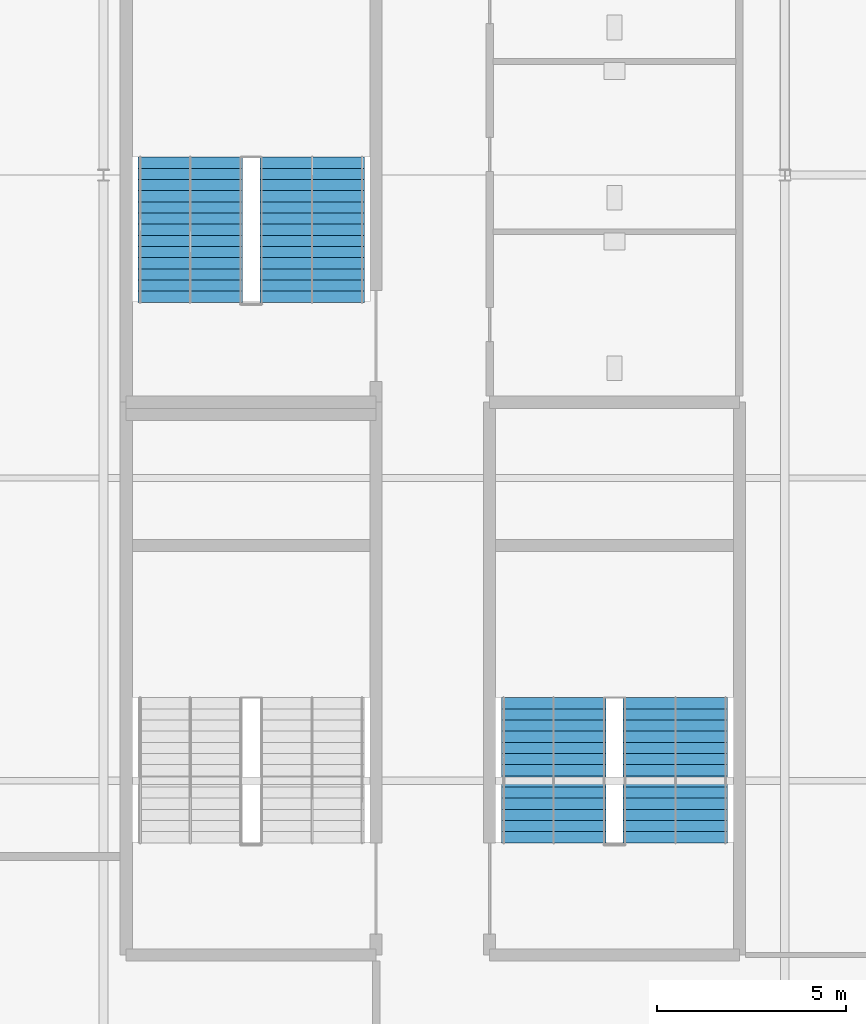
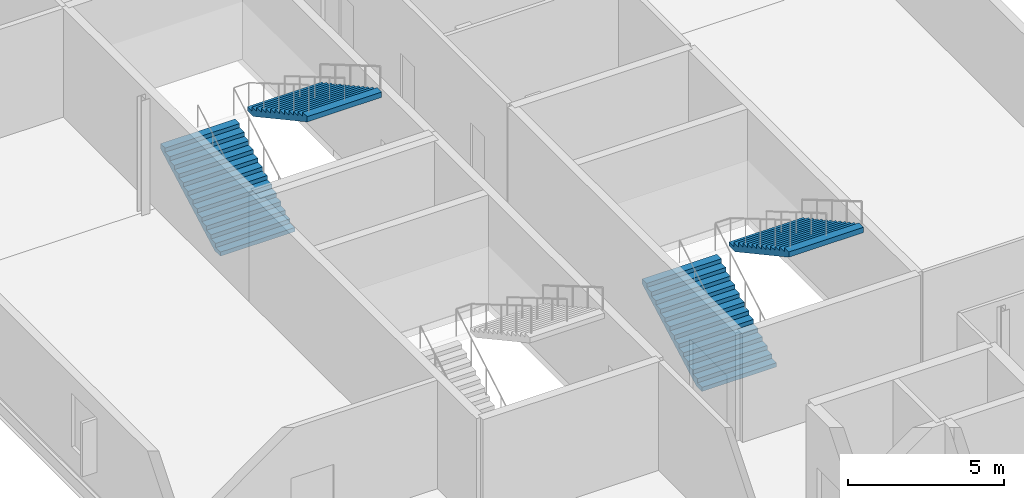
# One storey, part 21 of 28: 4 stair flights, 2 elements without a shape of their own.
"""IFC4 building model written with IfcOpenShell, lengths in metres."""

from ifc_helpers import new_model, si_unit, direction, frame, origin, place, context, subcontext, project, spatial, polygons, material, type_object, element, aggregate, save


model = new_model("IFC4")

# Units and contexts
model_context = context("Model", 3, precision=1e-05, world=origin(), true_north=direction((0.0, 1.0)))
body_context = subcontext(model_context, "Body", "Model", "MODEL_VIEW")
ifc_project = project(units=[si_unit("LENGTHUNIT", "METRE"), si_unit("AREAUNIT", "SQUARE_METRE"), si_unit("VOLUMEUNIT", "CUBIC_METRE"), si_unit("PLANEANGLEUNIT", "RADIAN"), si_unit("MASSUNIT", "GRAM", prefix="KILO")], contexts=[model_context])

# Site, building, storey
site_placement = place(None, origin())
site = spatial("IfcSite", under=ifc_project, at=site_placement, CompositionType="ELEMENT")
building_placement = place(site_placement, origin())
building = spatial("IfcBuilding", under=site, at=building_placement, Name="Kisiwana Market Hall", CompositionType="ELEMENT")
storey_placement = place(building_placement, frame((0.0, 0.0, 49.5)))
storey = spatial("IfcBuildingStorey", under=building, at=storey_placement, Name="L11", CompositionType="ELEMENT", Elevation=49.5)

# Stair, stair flights
ifc_material_1 = material(Name="Concrete C32/40", Category="concrete")
stair_type = type_object("IfcStairType", Name="ST-ESC-4500", PredefinedType="TWO_STRAIGHT_RUN_STAIR", material=ifc_material_1)
stair_1_placement = place(storey_placement, origin())
stair_1 = element("IfcStair", 1, at=stair_1_placement, inside=storey, type_object=stair_type, Name="Escape stair ST-E3-L11", PredefinedType="TWO_STRAIGHT_RUN_STAIR")
ifc_material_2 = material(Name="Concrete C32/40", Category="concrete")
stair_flight_type = type_object("IfcStairFlightType", Name="SF-ESC-4500", PredefinedType="STRAIGHT", material=ifc_material_2)
stair_flight_1_placement = place(storey_placement, frame((182.889892578125, 42.360107421875, 0.0), z_axis=(0.0, 0.0, 1.0), x_axis=(0.0, 1.0, 0.0)))
stair_flight_1 = element("IfcStairFlight", 2, at=stair_flight_1_placement, type_object=stair_flight_type, Name="ST-E3-L11 flight 1", NumberOfRisers=14, NumberOfTreads=13, PredefinedType="STRAIGHT", RiserHeight=0.160714, TreadLength=0.295, context=body_context, shape_type="Tessellation", body=[
    polygons([(0.0, -1.380127, 0.0), (0.0, -0.690125, 0.0), (0.0, -0.000122, 0.0), (0.0, 0.68988, 0.0), (0.0, 1.379883, 0.0), (0.0, -1.380127, 0.160645), (0.0, -0.690125, 0.160645), (0.0, -0.000122, 0.160645), (0.0, 0.68988, 0.160645), (0.0, 1.379883, 0.160645), (0.294922, -1.380127, 0.160645), (0.294922, -0.690125, 0.160645), (0.294922, -0.000122, 0.160645), (0.294922, 0.68988, 0.160645), (0.294922, 1.379883, 0.160645), (0.294922, -1.380127, 0.321533), (0.294922, -0.690125, 0.321533), (0.294922, -0.000122, 0.321533), (0.294922, 0.68988, 0.321533), (0.294922, 1.379883, 0.321533), (0.590088, -1.380127, 0.321533), (0.590088, -0.690125, 0.321533), (0.590088, -0.000122, 0.321533), (0.590088, 0.68988, 0.321533), (0.590088, 1.379883, 0.321533), (0.590088, -1.380127, 0.482178), (0.590088, -0.690125, 0.482178), (0.590088, -0.000122, 0.482178), (0.590088, 0.68988, 0.482178), (0.590088, 1.379883, 0.482178), (0.88501, -1.380127, 0.482178), (0.88501, -0.690125, 0.482178), (0.88501, -0.000122, 0.482178), (0.88501, 0.68988, 0.482178), (0.88501, 1.379883, 0.482178), (0.88501, -1.380127, 0.642822), (0.88501, -0.690125, 0.642822), (0.88501, -0.000122, 0.642822), (0.88501, 0.68988, 0.642822), (0.88501, 1.379883, 0.642822), (1.179932, -1.380127, 0.642822), (1.179932, -0.690125, 0.642822), (1.179932, -0.000122, 0.642822), (1.179932, 0.68988, 0.642822), (1.179932, 1.379883, 0.642822), (1.179932, -1.380127, 0.803467), (1.179932, -0.690125, 0.803467), (1.179932, -0.000122, 0.803467), (1.179932, 0.68988, 0.803467), (1.179932, 1.379883, 0.803467), (1.475098, -1.380127, 0.803467), (1.475098, -0.690125, 0.803467), (1.475098, -0.000122, 0.803467), (1.475098, 0.68988, 0.803467), (1.475098, 1.379883, 0.803467), (1.475098, -1.380127, 0.964355), (1.475098, -0.690125, 0.964355), (1.475098, -0.000122, 0.964355), (1.475098, 0.68988, 0.964355), (1.475098, 1.379883, 0.964355), (1.77002, -1.380127, 0.964355), (1.77002, -0.690125, 0.964355), (1.77002, -0.000122, 0.964355), (1.77002, 0.68988, 0.964355), (1.77002, 1.379883, 0.964355), (1.77002, -1.380127, 1.125), (1.77002, -0.690125, 1.125), (1.77002, -0.000122, 1.125), (1.77002, 0.68988, 1.125), (1.77002, 1.379883, 1.125), (2.064941, -1.380127, 1.125), (2.064941, -0.690125, 1.125), (2.064941, -0.000122, 1.125), (2.064941, 0.68988, 1.125), (2.064941, 1.379883, 1.125), (2.064941, -1.380127, 1.285645), (2.064941, -0.690125, 1.285645), (2.064941, -0.000122, 1.285645), (2.064941, 0.68988, 1.285645), (2.064941, 1.379883, 1.285645), (2.360107, -1.380127, 1.285645), (2.360107, -0.690125, 1.285645), (2.360107, -0.000122, 1.285645), (2.360107, 0.68988, 1.285645), (2.360107, 1.379883, 1.285645), (2.360107, -1.380127, 1.446533), (2.360107, -0.690125, 1.446533), (2.360107, -0.000122, 1.446533), (2.360107, 0.68988, 1.446533), (2.360107, 1.379883, 1.446533), (2.655029, -1.380127, 1.446533), (2.655029, -0.690125, 1.446533), (2.655029, -0.000122, 1.446533), (2.655029, 0.68988, 1.446533), (2.655029, 1.379883, 1.446533), (2.655029, -1.380127, 1.607178), (2.655029, -0.690125, 1.607178), (2.655029, -0.000122, 1.607178), (2.655029, 0.68988, 1.607178), (2.655029, 1.379883, 1.607178), (2.949951, -1.380127, 1.607178), (2.949951, -0.690125, 1.607178), (2.949951, -0.000122, 1.607178), (2.949951, 0.68988, 1.607178), (2.949951, 1.379883, 1.607178), (2.949951, -1.380127, 1.767822), (2.949951, -0.690125, 1.767822), (2.949951, -0.000122, 1.767822), (2.949951, 0.68988, 1.767822), (2.949951, 1.379883, 1.767822), (3.245117, -1.380127, 1.767822), (3.245117, -0.690125, 1.767822), (3.245117, -0.000122, 1.767822), (3.245117, 0.68988, 1.767822), (3.245117, 1.379883, 1.767822), (3.245117, -1.380127, 1.928467), (3.245117, -0.690125, 1.928467), (3.245117, -0.000122, 1.928467), (3.245117, 0.68988, 1.928467), (3.245117, 1.379883, 1.928467), (3.540039, -1.380127, 1.928467), (3.540039, -0.690125, 1.928467), (3.540039, -0.000122, 1.928467), (3.540039, 0.68988, 1.928467), (3.540039, 1.379883, 1.928467), (3.540039, -1.380127, 2.089355), (3.540039, -0.690125, 2.089355), (3.540039, -0.000122, 2.089355), (3.540039, 0.68988, 2.089355), (3.540039, 1.379883, 2.089355), (3.834961, -1.380127, 2.089355), (3.834961, -0.690125, 2.089355), (3.834961, -0.000122, 2.089355), (3.834961, 0.68988, 2.089355), (3.834961, 1.379883, 2.089355), (3.834961, -1.380127, 1.884277), (3.834961, -0.690125, 1.884277), (3.834961, -0.000122, 1.884277), (3.834961, 0.68988, 1.884277), (3.834961, 1.379883, 1.884277), (0.376221, -1.380127, 0.0), (0.376221, -0.690125, 0.0), (0.376221, -0.000122, 0.0), (0.376221, 0.68988, 0.0), (0.376221, 1.379883, 0.0)], [[[1, 6, 7, 2]], [[2, 7, 8, 3]], [[3, 8, 9, 4]], [[4, 9, 10, 5]], [[6, 11, 12, 7]], [[7, 12, 13, 8]], [[8, 13, 14, 9]], [[9, 14, 15, 10]], [[11, 16, 17, 12]], [[12, 17, 18, 13]], [[13, 18, 19, 14]], [[14, 19, 20, 15]], [[16, 21, 22, 17]], [[17, 22, 23, 18]], [[18, 23, 24, 19]], [[19, 24, 25, 20]], [[21, 26, 27, 22]], [[22, 27, 28, 23]], [[23, 28, 29, 24]], [[24, 29, 30, 25]], [[26, 31, 32, 27]], [[27, 32, 33, 28]], [[28, 33, 34, 29]], [[29, 34, 35, 30]], [[31, 36, 37, 32]], [[32, 37, 38, 33]], [[33, 38, 39, 34]], [[34, 39, 40, 35]], [[36, 41, 42, 37]], [[37, 42, 43, 38]], [[38, 43, 44, 39]], [[39, 44, 45, 40]], [[41, 46, 47, 42]], [[42, 47, 48, 43]], [[43, 48, 49, 44]], [[44, 49, 50, 45]], [[46, 51, 52, 47]], [[47, 52, 53, 48]], [[48, 53, 54, 49]], [[49, 54, 55, 50]], [[51, 56, 57, 52]], [[52, 57, 58, 53]], [[53, 58, 59, 54]], [[54, 59, 60, 55]], [[56, 61, 62, 57]], [[57, 62, 63, 58]], [[58, 63, 64, 59]], [[59, 64, 65, 60]], [[61, 66, 67, 62]], [[62, 67, 68, 63]], [[63, 68, 69, 64]], [[64, 69, 70, 65]], [[66, 71, 72, 67]], [[67, 72, 73, 68]], [[68, 73, 74, 69]], [[69, 74, 75, 70]], [[71, 76, 77, 72]], [[72, 77, 78, 73]], [[73, 78, 79, 74]], [[74, 79, 80, 75]], [[76, 81, 82, 77]], [[77, 82, 83, 78]], [[78, 83, 84, 79]], [[79, 84, 85, 80]], [[81, 86, 87, 82]], [[82, 87, 88, 83]], [[83, 88, 89, 84]], [[84, 89, 90, 85]], [[86, 91, 92, 87]], [[87, 92, 93, 88]], [[88, 93, 94, 89]], [[89, 94, 95, 90]], [[91, 96, 97, 92]], [[92, 97, 98, 93]], [[93, 98, 99, 94]], [[94, 99, 100, 95]], [[96, 101, 102, 97]], [[97, 102, 103, 98]], [[98, 103, 104, 99]], [[99, 104, 105, 100]], [[101, 106, 107, 102]], [[102, 107, 108, 103]], [[103, 108, 109, 104]], [[104, 109, 110, 105]], [[106, 111, 112, 107]], [[107, 112, 113, 108]], [[108, 113, 114, 109]], [[109, 114, 115, 110]], [[111, 116, 117, 112]], [[112, 117, 118, 113]], [[113, 118, 119, 114]], [[114, 119, 120, 115]], [[116, 121, 122, 117]], [[117, 122, 123, 118]], [[118, 123, 124, 119]], [[119, 124, 125, 120]], [[121, 126, 127, 122]], [[122, 127, 128, 123]], [[123, 128, 129, 124]], [[124, 129, 130, 125]], [[126, 131, 132, 127]], [[127, 132, 133, 128]], [[128, 133, 134, 129]], [[129, 134, 135, 130]], [[131, 136, 137, 132]], [[132, 137, 138, 133]], [[133, 138, 139, 134]], [[134, 139, 140, 135]], [[136, 141, 142, 137]], [[137, 142, 143, 138]], [[138, 143, 144, 139]], [[139, 144, 145, 140]], [[141, 1, 2, 142]], [[142, 2, 3, 143]], [[143, 3, 4, 144]], [[144, 4, 5, 145]], [[141, 136, 131, 126, 121, 116, 111, 106, 101, 96, 91, 86, 81, 76, 71, 66, 61, 56, 51, 46, 41, 36, 31, 26, 21, 16, 11, 6, 1]], [[5, 10, 15, 20, 25, 30, 35, 40, 45, 50, 55, 60, 65, 70, 75, 80, 85, 90, 95, 100, 105, 110, 115, 120, 125, 130, 135, 140, 145]]], closed=True),
])
stair_flight_2_placement = place(storey_placement, frame((186.110107421875, 46.195068359375, 2.25), z_axis=(0.0, 0.0, 1.0), x_axis=(0.0, -1.0, 0.0)))
stair_flight_2 = element("IfcStairFlight", 3, at=stair_flight_2_placement, type_object=stair_flight_type, Name="ST-E3-L11 flight 2", NumberOfRisers=14, NumberOfTreads=13, PredefinedType="STRAIGHT", RiserHeight=0.160714, TreadLength=0.295, context=body_context, shape_type="Tessellation", body=[
    polygons([(0.0, -1.380127, 0.0), (0.0, -0.690125, 0.0), (0.0, -0.000122, 0.0), (0.0, 0.68988, 0.0), (0.0, 1.379883, 0.0), (0.0, -1.380127, 0.160645), (0.0, -0.690125, 0.160645), (0.0, -0.000122, 0.160645), (0.0, 0.68988, 0.160645), (0.0, 1.379883, 0.160645), (0.294922, -1.380127, 0.160645), (0.294922, -0.690125, 0.160645), (0.294922, -0.000122, 0.160645), (0.294922, 0.68988, 0.160645), (0.294922, 1.379883, 0.160645), (0.294922, -1.380127, 0.321533), (0.294922, -0.690125, 0.321533), (0.294922, -0.000122, 0.321533), (0.294922, 0.68988, 0.321533), (0.294922, 1.379883, 0.321533), (0.590088, -1.380127, 0.321533), (0.590088, -0.690125, 0.321533), (0.590088, -0.000122, 0.321533), (0.590088, 0.68988, 0.321533), (0.590088, 1.379883, 0.321533), (0.590088, -1.380127, 0.482178), (0.590088, -0.690125, 0.482178), (0.590088, -0.000122, 0.482178), (0.590088, 0.68988, 0.482178), (0.590088, 1.379883, 0.482178), (0.88501, -1.380127, 0.482178), (0.88501, -0.690125, 0.482178), (0.88501, -0.000122, 0.482178), (0.88501, 0.68988, 0.482178), (0.88501, 1.379883, 0.482178), (0.88501, -1.380127, 0.642822), (0.88501, -0.690125, 0.642822), (0.88501, -0.000122, 0.642822), (0.88501, 0.68988, 0.642822), (0.88501, 1.379883, 0.642822), (1.179932, -1.380127, 0.642822), (1.179932, -0.690125, 0.642822), (1.179932, -0.000122, 0.642822), (1.179932, 0.68988, 0.642822), (1.179932, 1.379883, 0.642822), (1.179932, -1.380127, 0.803467), (1.179932, -0.690125, 0.803467), (1.179932, -0.000122, 0.803467), (1.179932, 0.68988, 0.803467), (1.179932, 1.379883, 0.803467), (1.475098, -1.380127, 0.803467), (1.475098, -0.690125, 0.803467), (1.475098, -0.000122, 0.803467), (1.475098, 0.68988, 0.803467), (1.475098, 1.379883, 0.803467), (1.475098, -1.380127, 0.964355), (1.475098, -0.690125, 0.964355), (1.475098, -0.000122, 0.964355), (1.475098, 0.68988, 0.964355), (1.475098, 1.379883, 0.964355), (1.77002, -1.380127, 0.964355), (1.77002, -0.690125, 0.964355), (1.77002, -0.000122, 0.964355), (1.77002, 0.68988, 0.964355), (1.77002, 1.379883, 0.964355), (1.77002, -1.380127, 1.125), (1.77002, -0.690125, 1.125), (1.77002, -0.000122, 1.125), (1.77002, 0.68988, 1.125), (1.77002, 1.379883, 1.125), (2.064941, -1.380127, 1.125), (2.064941, -0.690125, 1.125), (2.064941, -0.000122, 1.125), (2.064941, 0.68988, 1.125), (2.064941, 1.379883, 1.125), (2.064941, -1.380127, 1.285645), (2.064941, -0.690125, 1.285645), (2.064941, -0.000122, 1.285645), (2.064941, 0.68988, 1.285645), (2.064941, 1.379883, 1.285645), (2.360107, -1.380127, 1.285645), (2.360107, -0.690125, 1.285645), (2.360107, -0.000122, 1.285645), (2.360107, 0.68988, 1.285645), (2.360107, 1.379883, 1.285645), (2.360107, -1.380127, 1.446533), (2.360107, -0.690125, 1.446533), (2.360107, -0.000122, 1.446533), (2.360107, 0.68988, 1.446533), (2.360107, 1.379883, 1.446533), (2.655029, -1.380127, 1.446533), (2.655029, -0.690125, 1.446533), (2.655029, -0.000122, 1.446533), (2.655029, 0.68988, 1.446533), (2.655029, 1.379883, 1.446533), (2.655029, -1.380127, 1.607178), (2.655029, -0.690125, 1.607178), (2.655029, -0.000122, 1.607178), (2.655029, 0.68988, 1.607178), (2.655029, 1.379883, 1.607178), (2.949951, -1.380127, 1.607178), (2.949951, -0.690125, 1.607178), (2.949951, -0.000122, 1.607178), (2.949951, 0.68988, 1.607178), (2.949951, 1.379883, 1.607178), (2.949951, -1.380127, 1.767822), (2.949951, -0.690125, 1.767822), (2.949951, -0.000122, 1.767822), (2.949951, 0.68988, 1.767822), (2.949951, 1.379883, 1.767822), (3.245117, -1.380127, 1.767822), (3.245117, -0.690125, 1.767822), (3.245117, -0.000122, 1.767822), (3.245117, 0.68988, 1.767822), (3.245117, 1.379883, 1.767822), (3.245117, -1.380127, 1.928467), (3.245117, -0.690125, 1.928467), (3.245117, -0.000122, 1.928467), (3.245117, 0.68988, 1.928467), (3.245117, 1.379883, 1.928467), (3.540039, -1.380127, 1.928467), (3.540039, -0.690125, 1.928467), (3.540039, -0.000122, 1.928467), (3.540039, 0.68988, 1.928467), (3.540039, 1.379883, 1.928467), (3.540039, -1.380127, 2.089355), (3.540039, -0.690125, 2.089355), (3.540039, -0.000122, 2.089355), (3.540039, 0.68988, 2.089355), (3.540039, 1.379883, 2.089355), (3.834961, -1.380127, 2.089355), (3.834961, -0.690125, 2.089355), (3.834961, -0.000122, 2.089355), (3.834961, 0.68988, 2.089355), (3.834961, 1.379883, 2.089355), (3.834961, -1.380127, 1.884277), (3.834961, -0.690125, 1.884277), (3.834961, -0.000122, 1.884277), (3.834961, 0.68988, 1.884277), (3.834961, 1.379883, 1.884277), (0.376221, -1.380127, 0.0), (0.376221, -0.690125, 0.0), (0.376221, -0.000122, 0.0), (0.376221, 0.68988, 0.0), (0.376221, 1.379883, 0.0)], [[[1, 6, 7, 2]], [[2, 7, 8, 3]], [[3, 8, 9, 4]], [[4, 9, 10, 5]], [[6, 11, 12, 7]], [[7, 12, 13, 8]], [[8, 13, 14, 9]], [[9, 14, 15, 10]], [[11, 16, 17, 12]], [[12, 17, 18, 13]], [[13, 18, 19, 14]], [[14, 19, 20, 15]], [[16, 21, 22, 17]], [[17, 22, 23, 18]], [[18, 23, 24, 19]], [[19, 24, 25, 20]], [[21, 26, 27, 22]], [[22, 27, 28, 23]], [[23, 28, 29, 24]], [[24, 29, 30, 25]], [[26, 31, 32, 27]], [[27, 32, 33, 28]], [[28, 33, 34, 29]], [[29, 34, 35, 30]], [[31, 36, 37, 32]], [[32, 37, 38, 33]], [[33, 38, 39, 34]], [[34, 39, 40, 35]], [[36, 41, 42, 37]], [[37, 42, 43, 38]], [[38, 43, 44, 39]], [[39, 44, 45, 40]], [[41, 46, 47, 42]], [[42, 47, 48, 43]], [[43, 48, 49, 44]], [[44, 49, 50, 45]], [[46, 51, 52, 47]], [[47, 52, 53, 48]], [[48, 53, 54, 49]], [[49, 54, 55, 50]], [[51, 56, 57, 52]], [[52, 57, 58, 53]], [[53, 58, 59, 54]], [[54, 59, 60, 55]], [[56, 61, 62, 57]], [[57, 62, 63, 58]], [[58, 63, 64, 59]], [[59, 64, 65, 60]], [[61, 66, 67, 62]], [[62, 67, 68, 63]], [[63, 68, 69, 64]], [[64, 69, 70, 65]], [[66, 71, 72, 67]], [[67, 72, 73, 68]], [[68, 73, 74, 69]], [[69, 74, 75, 70]], [[71, 76, 77, 72]], [[72, 77, 78, 73]], [[73, 78, 79, 74]], [[74, 79, 80, 75]], [[76, 81, 82, 77]], [[77, 82, 83, 78]], [[78, 83, 84, 79]], [[79, 84, 85, 80]], [[81, 86, 87, 82]], [[82, 87, 88, 83]], [[83, 88, 89, 84]], [[84, 89, 90, 85]], [[86, 91, 92, 87]], [[87, 92, 93, 88]], [[88, 93, 94, 89]], [[89, 94, 95, 90]], [[91, 96, 97, 92]], [[92, 97, 98, 93]], [[93, 98, 99, 94]], [[94, 99, 100, 95]], [[96, 101, 102, 97]], [[97, 102, 103, 98]], [[98, 103, 104, 99]], [[99, 104, 105, 100]], [[101, 106, 107, 102]], [[102, 107, 108, 103]], [[103, 108, 109, 104]], [[104, 109, 110, 105]], [[106, 111, 112, 107]], [[107, 112, 113, 108]], [[108, 113, 114, 109]], [[109, 114, 115, 110]], [[111, 116, 117, 112]], [[112, 117, 118, 113]], [[113, 118, 119, 114]], [[114, 119, 120, 115]], [[116, 121, 122, 117]], [[117, 122, 123, 118]], [[118, 123, 124, 119]], [[119, 124, 125, 120]], [[121, 126, 127, 122]], [[122, 127, 128, 123]], [[123, 128, 129, 124]], [[124, 129, 130, 125]], [[126, 131, 132, 127]], [[127, 132, 133, 128]], [[128, 133, 134, 129]], [[129, 134, 135, 130]], [[131, 136, 137, 132]], [[132, 137, 138, 133]], [[133, 138, 139, 134]], [[134, 139, 140, 135]], [[136, 141, 142, 137]], [[137, 142, 143, 138]], [[138, 143, 144, 139]], [[139, 144, 145, 140]], [[141, 1, 2, 142]], [[142, 2, 3, 143]], [[143, 3, 4, 144]], [[144, 4, 5, 145]], [[141, 136, 131, 126, 121, 116, 111, 106, 101, 96, 91, 86, 81, 76, 71, 66, 61, 56, 51, 46, 41, 36, 31, 26, 21, 16, 11, 6, 1]], [[5, 10, 15, 20, 25, 30, 35, 40, 45, 50, 55, 60, 65, 70, 75, 80, 85, 90, 95, 100, 105, 110, 115, 120, 125, 130, 135, 140, 145]]], closed=True),
])
aggregate(stair_1, [stair_flight_1, stair_flight_2])

stair_2_placement = place(storey_placement, origin())
stair_2 = element("IfcStair", 4, at=stair_2_placement, inside=storey, type_object=stair_type, Name="Escape stair ST-E5-L11", PredefinedType="TWO_STRAIGHT_RUN_STAIR")
stair_flight_3_placement = place(storey_placement, frame((173.2900390625, 56.639892578125, 0.0), z_axis=(0.0, 0.0, 1.0), x_axis=(0.0, 1.0, 0.0)))
stair_flight_3 = element("IfcStairFlight", 5, at=stair_flight_3_placement, type_object=stair_flight_type, Name="ST-E5-L11 flight 1", NumberOfRisers=14, NumberOfTreads=13, PredefinedType="STRAIGHT", RiserHeight=0.160714, TreadLength=0.295, context=body_context, shape_type="Tessellation", body=[
    polygons([(0.0, -1.380127, 0.0), (0.0, -0.690125, 0.0), (0.0, -0.000122, 0.0), (0.0, 0.68988, 0.0), (0.0, 1.379883, 0.0), (0.0, -1.380127, 0.160645), (0.0, -0.690125, 0.160645), (0.0, -0.000122, 0.160645), (0.0, 0.68988, 0.160645), (0.0, 1.379883, 0.160645), (0.294922, -1.380127, 0.160645), (0.294922, -0.690125, 0.160645), (0.294922, -0.000122, 0.160645), (0.294922, 0.68988, 0.160645), (0.294922, 1.379883, 0.160645), (0.294922, -1.380127, 0.321533), (0.294922, -0.690125, 0.321533), (0.294922, -0.000122, 0.321533), (0.294922, 0.68988, 0.321533), (0.294922, 1.379883, 0.321533), (0.590088, -1.380127, 0.321533), (0.590088, -0.690125, 0.321533), (0.590088, -0.000122, 0.321533), (0.590088, 0.68988, 0.321533), (0.590088, 1.379883, 0.321533), (0.590088, -1.380127, 0.482178), (0.590088, -0.690125, 0.482178), (0.590088, -0.000122, 0.482178), (0.590088, 0.68988, 0.482178), (0.590088, 1.379883, 0.482178), (0.88501, -1.380127, 0.482178), (0.88501, -0.690125, 0.482178), (0.88501, -0.000122, 0.482178), (0.88501, 0.68988, 0.482178), (0.88501, 1.379883, 0.482178), (0.88501, -1.380127, 0.642822), (0.88501, -0.690125, 0.642822), (0.88501, -0.000122, 0.642822), (0.88501, 0.68988, 0.642822), (0.88501, 1.379883, 0.642822), (1.179932, -1.380127, 0.642822), (1.179932, -0.690125, 0.642822), (1.179932, -0.000122, 0.642822), (1.179932, 0.68988, 0.642822), (1.179932, 1.379883, 0.642822), (1.179932, -1.380127, 0.803467), (1.179932, -0.690125, 0.803467), (1.179932, -0.000122, 0.803467), (1.179932, 0.68988, 0.803467), (1.179932, 1.379883, 0.803467), (1.475098, -1.380127, 0.803467), (1.475098, -0.690125, 0.803467), (1.475098, -0.000122, 0.803467), (1.475098, 0.68988, 0.803467), (1.475098, 1.379883, 0.803467), (1.475098, -1.380127, 0.964355), (1.475098, -0.690125, 0.964355), (1.475098, -0.000122, 0.964355), (1.475098, 0.68988, 0.964355), (1.475098, 1.379883, 0.964355), (1.77002, -1.380127, 0.964355), (1.77002, -0.690125, 0.964355), (1.77002, -0.000122, 0.964355), (1.77002, 0.68988, 0.964355), (1.77002, 1.379883, 0.964355), (1.77002, -1.380127, 1.125), (1.77002, -0.690125, 1.125), (1.77002, -0.000122, 1.125), (1.77002, 0.68988, 1.125), (1.77002, 1.379883, 1.125), (2.064941, -1.380127, 1.125), (2.064941, -0.690125, 1.125), (2.064941, -0.000122, 1.125), (2.064941, 0.68988, 1.125), (2.064941, 1.379883, 1.125), (2.064941, -1.380127, 1.285645), (2.064941, -0.690125, 1.285645), (2.064941, -0.000122, 1.285645), (2.064941, 0.68988, 1.285645), (2.064941, 1.379883, 1.285645), (2.360107, -1.380127, 1.285645), (2.360107, -0.690125, 1.285645), (2.360107, -0.000122, 1.285645), (2.360107, 0.68988, 1.285645), (2.360107, 1.379883, 1.285645), (2.360107, -1.380127, 1.446533), (2.360107, -0.690125, 1.446533), (2.360107, -0.000122, 1.446533), (2.360107, 0.68988, 1.446533), (2.360107, 1.379883, 1.446533), (2.655029, -1.380127, 1.446533), (2.655029, -0.690125, 1.446533), (2.655029, -0.000122, 1.446533), (2.655029, 0.68988, 1.446533), (2.655029, 1.379883, 1.446533), (2.655029, -1.380127, 1.607178), (2.655029, -0.690125, 1.607178), (2.655029, -0.000122, 1.607178), (2.655029, 0.68988, 1.607178), (2.655029, 1.379883, 1.607178), (2.949951, -1.380127, 1.607178), (2.949951, -0.690125, 1.607178), (2.949951, -0.000122, 1.607178), (2.949951, 0.68988, 1.607178), (2.949951, 1.379883, 1.607178), (2.949951, -1.380127, 1.767822), (2.949951, -0.690125, 1.767822), (2.949951, -0.000122, 1.767822), (2.949951, 0.68988, 1.767822), (2.949951, 1.379883, 1.767822), (3.245117, -1.380127, 1.767822), (3.245117, -0.690125, 1.767822), (3.245117, -0.000122, 1.767822), (3.245117, 0.68988, 1.767822), (3.245117, 1.379883, 1.767822), (3.245117, -1.380127, 1.928467), (3.245117, -0.690125, 1.928467), (3.245117, -0.000122, 1.928467), (3.245117, 0.68988, 1.928467), (3.245117, 1.379883, 1.928467), (3.540039, -1.380127, 1.928467), (3.540039, -0.690125, 1.928467), (3.540039, -0.000122, 1.928467), (3.540039, 0.68988, 1.928467), (3.540039, 1.379883, 1.928467), (3.540039, -1.380127, 2.089355), (3.540039, -0.690125, 2.089355), (3.540039, -0.000122, 2.089355), (3.540039, 0.68988, 2.089355), (3.540039, 1.379883, 2.089355), (3.834961, -1.380127, 2.089355), (3.834961, -0.690125, 2.089355), (3.834961, -0.000122, 2.089355), (3.834961, 0.68988, 2.089355), (3.834961, 1.379883, 2.089355), (3.834961, -1.380127, 1.884277), (3.834961, -0.690125, 1.884277), (3.834961, -0.000122, 1.884277), (3.834961, 0.68988, 1.884277), (3.834961, 1.379883, 1.884277), (0.376221, -1.380127, 0.0), (0.376221, -0.690125, 0.0), (0.376221, -0.000122, 0.0), (0.376221, 0.68988, 0.0), (0.376221, 1.379883, 0.0)], [[[1, 6, 7, 2]], [[2, 7, 8, 3]], [[3, 8, 9, 4]], [[4, 9, 10, 5]], [[6, 11, 12, 7]], [[7, 12, 13, 8]], [[8, 13, 14, 9]], [[9, 14, 15, 10]], [[11, 16, 17, 12]], [[12, 17, 18, 13]], [[13, 18, 19, 14]], [[14, 19, 20, 15]], [[16, 21, 22, 17]], [[17, 22, 23, 18]], [[18, 23, 24, 19]], [[19, 24, 25, 20]], [[21, 26, 27, 22]], [[22, 27, 28, 23]], [[23, 28, 29, 24]], [[24, 29, 30, 25]], [[26, 31, 32, 27]], [[27, 32, 33, 28]], [[28, 33, 34, 29]], [[29, 34, 35, 30]], [[31, 36, 37, 32]], [[32, 37, 38, 33]], [[33, 38, 39, 34]], [[34, 39, 40, 35]], [[36, 41, 42, 37]], [[37, 42, 43, 38]], [[38, 43, 44, 39]], [[39, 44, 45, 40]], [[41, 46, 47, 42]], [[42, 47, 48, 43]], [[43, 48, 49, 44]], [[44, 49, 50, 45]], [[46, 51, 52, 47]], [[47, 52, 53, 48]], [[48, 53, 54, 49]], [[49, 54, 55, 50]], [[51, 56, 57, 52]], [[52, 57, 58, 53]], [[53, 58, 59, 54]], [[54, 59, 60, 55]], [[56, 61, 62, 57]], [[57, 62, 63, 58]], [[58, 63, 64, 59]], [[59, 64, 65, 60]], [[61, 66, 67, 62]], [[62, 67, 68, 63]], [[63, 68, 69, 64]], [[64, 69, 70, 65]], [[66, 71, 72, 67]], [[67, 72, 73, 68]], [[68, 73, 74, 69]], [[69, 74, 75, 70]], [[71, 76, 77, 72]], [[72, 77, 78, 73]], [[73, 78, 79, 74]], [[74, 79, 80, 75]], [[76, 81, 82, 77]], [[77, 82, 83, 78]], [[78, 83, 84, 79]], [[79, 84, 85, 80]], [[81, 86, 87, 82]], [[82, 87, 88, 83]], [[83, 88, 89, 84]], [[84, 89, 90, 85]], [[86, 91, 92, 87]], [[87, 92, 93, 88]], [[88, 93, 94, 89]], [[89, 94, 95, 90]], [[91, 96, 97, 92]], [[92, 97, 98, 93]], [[93, 98, 99, 94]], [[94, 99, 100, 95]], [[96, 101, 102, 97]], [[97, 102, 103, 98]], [[98, 103, 104, 99]], [[99, 104, 105, 100]], [[101, 106, 107, 102]], [[102, 107, 108, 103]], [[103, 108, 109, 104]], [[104, 109, 110, 105]], [[106, 111, 112, 107]], [[107, 112, 113, 108]], [[108, 113, 114, 109]], [[109, 114, 115, 110]], [[111, 116, 117, 112]], [[112, 117, 118, 113]], [[113, 118, 119, 114]], [[114, 119, 120, 115]], [[116, 121, 122, 117]], [[117, 122, 123, 118]], [[118, 123, 124, 119]], [[119, 124, 125, 120]], [[121, 126, 127, 122]], [[122, 127, 128, 123]], [[123, 128, 129, 124]], [[124, 129, 130, 125]], [[126, 131, 132, 127]], [[127, 132, 133, 128]], [[128, 133, 134, 129]], [[129, 134, 135, 130]], [[131, 136, 137, 132]], [[132, 137, 138, 133]], [[133, 138, 139, 134]], [[134, 139, 140, 135]], [[136, 141, 142, 137]], [[137, 142, 143, 138]], [[138, 143, 144, 139]], [[139, 144, 145, 140]], [[141, 1, 2, 142]], [[142, 2, 3, 143]], [[143, 3, 4, 144]], [[144, 4, 5, 145]], [[141, 136, 131, 126, 121, 116, 111, 106, 101, 96, 91, 86, 81, 76, 71, 66, 61, 56, 51, 46, 41, 36, 31, 26, 21, 16, 11, 6, 1]], [[5, 10, 15, 20, 25, 30, 35, 40, 45, 50, 55, 60, 65, 70, 75, 80, 85, 90, 95, 100, 105, 110, 115, 120, 125, 130, 135, 140, 145]]], closed=True),
])
stair_flight_4_placement = place(storey_placement, frame((176.510009765625, 60.47509765625, 2.25), z_axis=(0.0, 0.0, 1.0), x_axis=(0.0, -1.0, 0.0)))
stair_flight_4 = element("IfcStairFlight", 6, at=stair_flight_4_placement, type_object=stair_flight_type, Name="ST-E5-L11 flight 2", NumberOfRisers=14, NumberOfTreads=13, PredefinedType="STRAIGHT", RiserHeight=0.160714, TreadLength=0.295, context=body_context, shape_type="Tessellation", body=[
    polygons([(0.0, -1.380127, 0.0), (0.0, -0.690125, 0.0), (0.0, -0.000122, 0.0), (0.0, 0.68988, 0.0), (0.0, 1.379883, 0.0), (0.0, -1.380127, 0.160645), (0.0, -0.690125, 0.160645), (0.0, -0.000122, 0.160645), (0.0, 0.68988, 0.160645), (0.0, 1.379883, 0.160645), (0.294922, -1.380127, 0.160645), (0.294922, -0.690125, 0.160645), (0.294922, -0.000122, 0.160645), (0.294922, 0.68988, 0.160645), (0.294922, 1.379883, 0.160645), (0.294922, -1.380127, 0.321533), (0.294922, -0.690125, 0.321533), (0.294922, -0.000122, 0.321533), (0.294922, 0.68988, 0.321533), (0.294922, 1.379883, 0.321533), (0.590088, -1.380127, 0.321533), (0.590088, -0.690125, 0.321533), (0.590088, -0.000122, 0.321533), (0.590088, 0.68988, 0.321533), (0.590088, 1.379883, 0.321533), (0.590088, -1.380127, 0.482178), (0.590088, -0.690125, 0.482178), (0.590088, -0.000122, 0.482178), (0.590088, 0.68988, 0.482178), (0.590088, 1.379883, 0.482178), (0.88501, -1.380127, 0.482178), (0.88501, -0.690125, 0.482178), (0.88501, -0.000122, 0.482178), (0.88501, 0.68988, 0.482178), (0.88501, 1.379883, 0.482178), (0.88501, -1.380127, 0.642822), (0.88501, -0.690125, 0.642822), (0.88501, -0.000122, 0.642822), (0.88501, 0.68988, 0.642822), (0.88501, 1.379883, 0.642822), (1.179932, -1.380127, 0.642822), (1.179932, -0.690125, 0.642822), (1.179932, -0.000122, 0.642822), (1.179932, 0.68988, 0.642822), (1.179932, 1.379883, 0.642822), (1.179932, -1.380127, 0.803467), (1.179932, -0.690125, 0.803467), (1.179932, -0.000122, 0.803467), (1.179932, 0.68988, 0.803467), (1.179932, 1.379883, 0.803467), (1.475098, -1.380127, 0.803467), (1.475098, -0.690125, 0.803467), (1.475098, -0.000122, 0.803467), (1.475098, 0.68988, 0.803467), (1.475098, 1.379883, 0.803467), (1.475098, -1.380127, 0.964355), (1.475098, -0.690125, 0.964355), (1.475098, -0.000122, 0.964355), (1.475098, 0.68988, 0.964355), (1.475098, 1.379883, 0.964355), (1.77002, -1.380127, 0.964355), (1.77002, -0.690125, 0.964355), (1.77002, -0.000122, 0.964355), (1.77002, 0.68988, 0.964355), (1.77002, 1.379883, 0.964355), (1.77002, -1.380127, 1.125), (1.77002, -0.690125, 1.125), (1.77002, -0.000122, 1.125), (1.77002, 0.68988, 1.125), (1.77002, 1.379883, 1.125), (2.064941, -1.380127, 1.125), (2.064941, -0.690125, 1.125), (2.064941, -0.000122, 1.125), (2.064941, 0.68988, 1.125), (2.064941, 1.379883, 1.125), (2.064941, -1.380127, 1.285645), (2.064941, -0.690125, 1.285645), (2.064941, -0.000122, 1.285645), (2.064941, 0.68988, 1.285645), (2.064941, 1.379883, 1.285645), (2.360107, -1.380127, 1.285645), (2.360107, -0.690125, 1.285645), (2.360107, -0.000122, 1.285645), (2.360107, 0.68988, 1.285645), (2.360107, 1.379883, 1.285645), (2.360107, -1.380127, 1.446533), (2.360107, -0.690125, 1.446533), (2.360107, -0.000122, 1.446533), (2.360107, 0.68988, 1.446533), (2.360107, 1.379883, 1.446533), (2.655029, -1.380127, 1.446533), (2.655029, -0.690125, 1.446533), (2.655029, -0.000122, 1.446533), (2.655029, 0.68988, 1.446533), (2.655029, 1.379883, 1.446533), (2.655029, -1.380127, 1.607178), (2.655029, -0.690125, 1.607178), (2.655029, -0.000122, 1.607178), (2.655029, 0.68988, 1.607178), (2.655029, 1.379883, 1.607178), (2.949951, -1.380127, 1.607178), (2.949951, -0.690125, 1.607178), (2.949951, -0.000122, 1.607178), (2.949951, 0.68988, 1.607178), (2.949951, 1.379883, 1.607178), (2.949951, -1.380127, 1.767822), (2.949951, -0.690125, 1.767822), (2.949951, -0.000122, 1.767822), (2.949951, 0.68988, 1.767822), (2.949951, 1.379883, 1.767822), (3.245117, -1.380127, 1.767822), (3.245117, -0.690125, 1.767822), (3.245117, -0.000122, 1.767822), (3.245117, 0.68988, 1.767822), (3.245117, 1.379883, 1.767822), (3.245117, -1.380127, 1.928467), (3.245117, -0.690125, 1.928467), (3.245117, -0.000122, 1.928467), (3.245117, 0.68988, 1.928467), (3.245117, 1.379883, 1.928467), (3.540039, -1.380127, 1.928467), (3.540039, -0.690125, 1.928467), (3.540039, -0.000122, 1.928467), (3.540039, 0.68988, 1.928467), (3.540039, 1.379883, 1.928467), (3.540039, -1.380127, 2.089355), (3.540039, -0.690125, 2.089355), (3.540039, -0.000122, 2.089355), (3.540039, 0.68988, 2.089355), (3.540039, 1.379883, 2.089355), (3.834961, -1.380127, 2.089355), (3.834961, -0.690125, 2.089355), (3.834961, -0.000122, 2.089355), (3.834961, 0.68988, 2.089355), (3.834961, 1.379883, 2.089355), (3.834961, -1.380127, 1.884277), (3.834961, -0.690125, 1.884277), (3.834961, -0.000122, 1.884277), (3.834961, 0.68988, 1.884277), (3.834961, 1.379883, 1.884277), (0.376221, -1.380127, 0.0), (0.376221, -0.690125, 0.0), (0.376221, -0.000122, 0.0), (0.376221, 0.68988, 0.0), (0.376221, 1.379883, 0.0)], [[[1, 6, 7, 2]], [[2, 7, 8, 3]], [[3, 8, 9, 4]], [[4, 9, 10, 5]], [[6, 11, 12, 7]], [[7, 12, 13, 8]], [[8, 13, 14, 9]], [[9, 14, 15, 10]], [[11, 16, 17, 12]], [[12, 17, 18, 13]], [[13, 18, 19, 14]], [[14, 19, 20, 15]], [[16, 21, 22, 17]], [[17, 22, 23, 18]], [[18, 23, 24, 19]], [[19, 24, 25, 20]], [[21, 26, 27, 22]], [[22, 27, 28, 23]], [[23, 28, 29, 24]], [[24, 29, 30, 25]], [[26, 31, 32, 27]], [[27, 32, 33, 28]], [[28, 33, 34, 29]], [[29, 34, 35, 30]], [[31, 36, 37, 32]], [[32, 37, 38, 33]], [[33, 38, 39, 34]], [[34, 39, 40, 35]], [[36, 41, 42, 37]], [[37, 42, 43, 38]], [[38, 43, 44, 39]], [[39, 44, 45, 40]], [[41, 46, 47, 42]], [[42, 47, 48, 43]], [[43, 48, 49, 44]], [[44, 49, 50, 45]], [[46, 51, 52, 47]], [[47, 52, 53, 48]], [[48, 53, 54, 49]], [[49, 54, 55, 50]], [[51, 56, 57, 52]], [[52, 57, 58, 53]], [[53, 58, 59, 54]], [[54, 59, 60, 55]], [[56, 61, 62, 57]], [[57, 62, 63, 58]], [[58, 63, 64, 59]], [[59, 64, 65, 60]], [[61, 66, 67, 62]], [[62, 67, 68, 63]], [[63, 68, 69, 64]], [[64, 69, 70, 65]], [[66, 71, 72, 67]], [[67, 72, 73, 68]], [[68, 73, 74, 69]], [[69, 74, 75, 70]], [[71, 76, 77, 72]], [[72, 77, 78, 73]], [[73, 78, 79, 74]], [[74, 79, 80, 75]], [[76, 81, 82, 77]], [[77, 82, 83, 78]], [[78, 83, 84, 79]], [[79, 84, 85, 80]], [[81, 86, 87, 82]], [[82, 87, 88, 83]], [[83, 88, 89, 84]], [[84, 89, 90, 85]], [[86, 91, 92, 87]], [[87, 92, 93, 88]], [[88, 93, 94, 89]], [[89, 94, 95, 90]], [[91, 96, 97, 92]], [[92, 97, 98, 93]], [[93, 98, 99, 94]], [[94, 99, 100, 95]], [[96, 101, 102, 97]], [[97, 102, 103, 98]], [[98, 103, 104, 99]], [[99, 104, 105, 100]], [[101, 106, 107, 102]], [[102, 107, 108, 103]], [[103, 108, 109, 104]], [[104, 109, 110, 105]], [[106, 111, 112, 107]], [[107, 112, 113, 108]], [[108, 113, 114, 109]], [[109, 114, 115, 110]], [[111, 116, 117, 112]], [[112, 117, 118, 113]], [[113, 118, 119, 114]], [[114, 119, 120, 115]], [[116, 121, 122, 117]], [[117, 122, 123, 118]], [[118, 123, 124, 119]], [[119, 124, 125, 120]], [[121, 126, 127, 122]], [[122, 127, 128, 123]], [[123, 128, 129, 124]], [[124, 129, 130, 125]], [[126, 131, 132, 127]], [[127, 132, 133, 128]], [[128, 133, 134, 129]], [[129, 134, 135, 130]], [[131, 136, 137, 132]], [[132, 137, 138, 133]], [[133, 138, 139, 134]], [[134, 139, 140, 135]], [[136, 141, 142, 137]], [[137, 142, 143, 138]], [[138, 143, 144, 139]], [[139, 144, 145, 140]], [[141, 1, 2, 142]], [[142, 2, 3, 143]], [[143, 3, 4, 144]], [[144, 4, 5, 145]], [[141, 136, 131, 126, 121, 116, 111, 106, 101, 96, 91, 86, 81, 76, 71, 66, 61, 56, 51, 46, 41, 36, 31, 26, 21, 16, 11, 6, 1]], [[5, 10, 15, 20, 25, 30, 35, 40, 45, 50, 55, 60, 65, 70, 75, 80, 85, 90, 95, 100, 105, 110, 115, 120, 125, 130, 135, 140, 145]]], closed=True),
])
aggregate(stair_2, [stair_flight_3, stair_flight_4])

save(model, "model.ifc")
